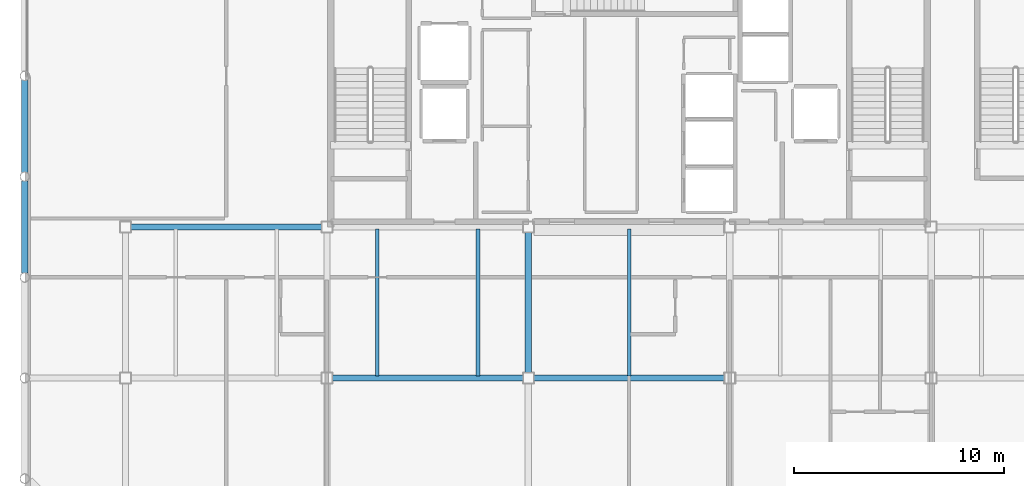
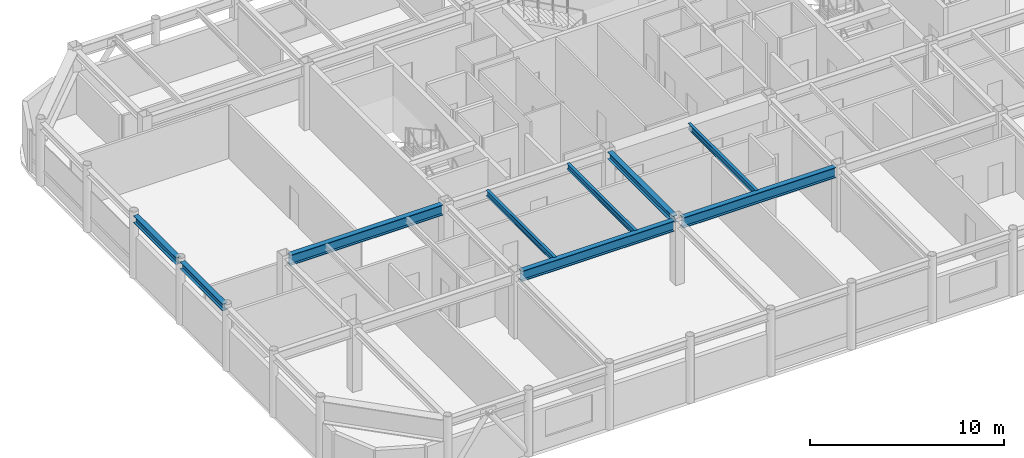
# One storey, part 6 of 21: 9 beams.
"""IFC4 building model written with IfcOpenShell, lengths in metres."""

from ifc_helpers import new_model, si_unit, direction, frame, origin, origin_2d, place, context, subcontext, project, spatial, i_section, extrude, material, material_profile, profile_set, type_object, element, save


model = new_model("IFC4")

# Units and contexts
model_context = context("Model", 3, precision=1e-05, world=origin(), true_north=direction((0.0, 1.0)))
body_context = subcontext(model_context, "Body", "Model", "MODEL_VIEW")
ifc_project = project(units=[si_unit("LENGTHUNIT", "METRE"), si_unit("AREAUNIT", "SQUARE_METRE"), si_unit("VOLUMEUNIT", "CUBIC_METRE"), si_unit("PLANEANGLEUNIT", "RADIAN"), si_unit("MASSUNIT", "GRAM", prefix="KILO")], contexts=[model_context])

# Site, building, storey
site_placement = place(None, origin())
site = spatial("IfcSite", under=ifc_project, at=site_placement, CompositionType="ELEMENT")
building_placement = place(site_placement, origin())
building = spatial("IfcBuilding", under=site, at=building_placement, Name="Kallvorn Hotel Tower", CompositionType="ELEMENT")
storey_placement = place(building_placement, frame((0.0, 0.0, 286.39990234375)))
storey = spatial("IfcBuildingStorey", under=building, at=storey_placement, Name="L71", CompositionType="ELEMENT", Elevation=286.39990234375)

# Beams
ifc_material_1 = material(Name="Structural steel S355JR", Category="steel")
ifc_material_profile_1 = material_profile(ifc_material_1, i_section(OverallWidth=0.300048828125, OverallDepth=0.43994140625, WebThickness=0.011474609375, FlangeThickness=0.02099609375, at=origin_2d()), Name="HE 450 A")
ifc_profile_set_1 = profile_set([ifc_material_profile_1], Name="Structural steel S355JR")
beam_type_1 = type_object("IfcBeamType", Name="BM_HE450A", PredefinedType="BEAM", material=ifc_profile_set_1)
beam_1_placement = place(storey_placement, frame((-28.800048828125, -9.396484375, 3.780029296875), z_axis=(0.0, 1.0, 0.0), x_axis=(-1.0, 0.0, 0.0)))
element("IfcBeam", 1, at=beam_1_placement, inside=storey, type_object=beam_type_1, Name="L72 Primary Y-Girder 27", PredefinedType="BEAM", context=body_context, shape_type="SweptSolid", body=[
    extrude(i_section(OverallWidth=0.300048828125, OverallDepth=0.43994140625, WebThickness=0.011474609375, FlangeThickness=0.02099609375, at=origin_2d()), origin(), (0.0, 0.0, 1.0), 4.39306640625),
])
beam_2_placement = place(storey_placement, frame((-28.800048828125, -4.596435546875, 3.780029296875), z_axis=(0.0, 1.0, 0.0), x_axis=(-1.0, 0.0, 0.0)))
element("IfcBeam", 2, at=beam_2_placement, inside=storey, type_object=beam_type_1, Name="L72 Primary Y-Girder 28", PredefinedType="BEAM", context=body_context, shape_type="SweptSolid", body=[
    extrude(i_section(OverallWidth=0.300048828125, OverallDepth=0.43994140625, WebThickness=0.011474609375, FlangeThickness=0.02099609375, at=origin_2d()), origin(), (0.0, 0.0, 1.0), 4.392822265625),
])
beam_3_placement = place(storey_placement, frame((-4.800048828125, -14.14990234375, 3.780029296875), z_axis=(0.0, 1.0, 0.0), x_axis=(-1.0, 0.0, 0.0)))
element("IfcBeam", 3, at=beam_3_placement, inside=storey, type_object=beam_type_1, Name="L72 Primary Y-Girder 38", PredefinedType="BEAM", context=body_context, shape_type="SweptSolid", body=[
    extrude(i_section(OverallWidth=0.300048828125, OverallDepth=0.43994140625, WebThickness=0.011474609375, FlangeThickness=0.02099609375, at=origin_2d()), origin(), (0.0, 0.0, 1.0), 6.699951171875),
])
ifc_material_2 = material(Name="Structural steel S355JR", Category="steel")
ifc_material_profile_2 = material_profile(ifc_material_2, i_section(OverallWidth=0.300048828125, OverallDepth=0.64990234375, WebThickness=0.01611328125, FlangeThickness=0.031005859375, at=origin_2d()), Name="HE 650 B")
ifc_profile_set_2 = profile_set([ifc_material_profile_2], Name="Structural steel S355JR")
beam_type_2 = type_object("IfcBeamType", Name="BM_HE650B", PredefinedType="BEAM", material=ifc_profile_set_2)
beam_4_placement = place(storey_placement, frame((-14.14990234375, -14.39990234375, 3.675048828125), z_axis=(1.0, 0.0, 0.0), x_axis=(0.0, 1.0, 0.0)))
element("IfcBeam", 4, at=beam_4_placement, inside=storey, type_object=beam_type_2, Name="L72 Primary X-Girder 03", PredefinedType="BEAM", context=body_context, shape_type="SweptSolid", body=[
    extrude(i_section(OverallWidth=0.300048828125, OverallDepth=0.64990234375, WebThickness=0.01611328125, FlangeThickness=0.031005859375, at=origin_2d()), origin(), (0.0, 0.0, 1.0), 9.099853515625),
])
for number, where, z_axis, x_axis, name in (
    (5, (-4.550048828125, -14.39990234375, 3.675048828125), (1.0, 0.0, 0.0), (0.0, 1.0, 0.0), "L72 Primary X-Girder 04"),
    (6, (-23.75, -7.199951171875, 3.675048828125), (1.0, 0.0, 0.0), (0.0, 1.0, 0.0), "L72 Primary X-Girder 07"),
):
    element("IfcBeam", number, at=place(storey_placement, frame(where, z_axis=z_axis, x_axis=x_axis)), inside=storey, type_object=beam_type_2, Name=name, PredefinedType="BEAM", context=body_context, shape_type="SweptSolid", body=[
        extrude(i_section(OverallWidth=0.300048828125, OverallDepth=0.64990234375, WebThickness=0.01611328125, FlangeThickness=0.031005859375, at=origin_2d()), origin(), (0.0, 0.0, 1.0), 9.10009765625),
    ])
ifc_material_3 = material(Name="Structural steel S355JR", Category="steel")
ifc_material_profile_3 = material_profile(ifc_material_3, i_section(OverallWidth=0.169921875, OverallDepth=0.360107421875, WebThickness=0.008056640625, FlangeThickness=0.0126953125, at=origin_2d()), Name="IPE 360")
ifc_profile_set_3 = profile_set([ifc_material_profile_3], Name="Structural steel S355JR")
beam_type_3 = type_object("IfcBeamType", Name="BM_IPE360", PredefinedType="JOIST", material=ifc_profile_set_3)
for number, where, z_axis, x_axis, name in (
    (7, (-12.0, -14.300048828125, 3.820068359375), (0.0, 1.0, 0.0), (-1.0, 0.0, 0.0), "L72 Secondary Composite Joist 94"),
    (8, (-7.199951171875, -14.300048828125, 3.820068359375), (0.0, 1.0, 0.0), (-1.0, 0.0, 0.0), "L72 Secondary Composite Joist 96"),
    (9, (0.0, -14.300048828125, 3.820068359375), (0.0, 1.0, 0.0), (-1.0, 0.0, 0.0), "L72 Secondary Composite Joist 98"),
):
    element("IfcBeam", number, at=place(storey_placement, frame(where, z_axis=z_axis, x_axis=x_axis)), inside=storey, type_object=beam_type_3, Name=name, PredefinedType="JOIST", context=body_context, shape_type="SweptSolid", body=[
        extrude(i_section(OverallWidth=0.169921875, OverallDepth=0.360107421875, WebThickness=0.008056640625, FlangeThickness=0.0126953125, at=origin_2d()), origin(), (0.0, 0.0, 1.0), 7.0),
    ])

save(model, "model.ifc")
